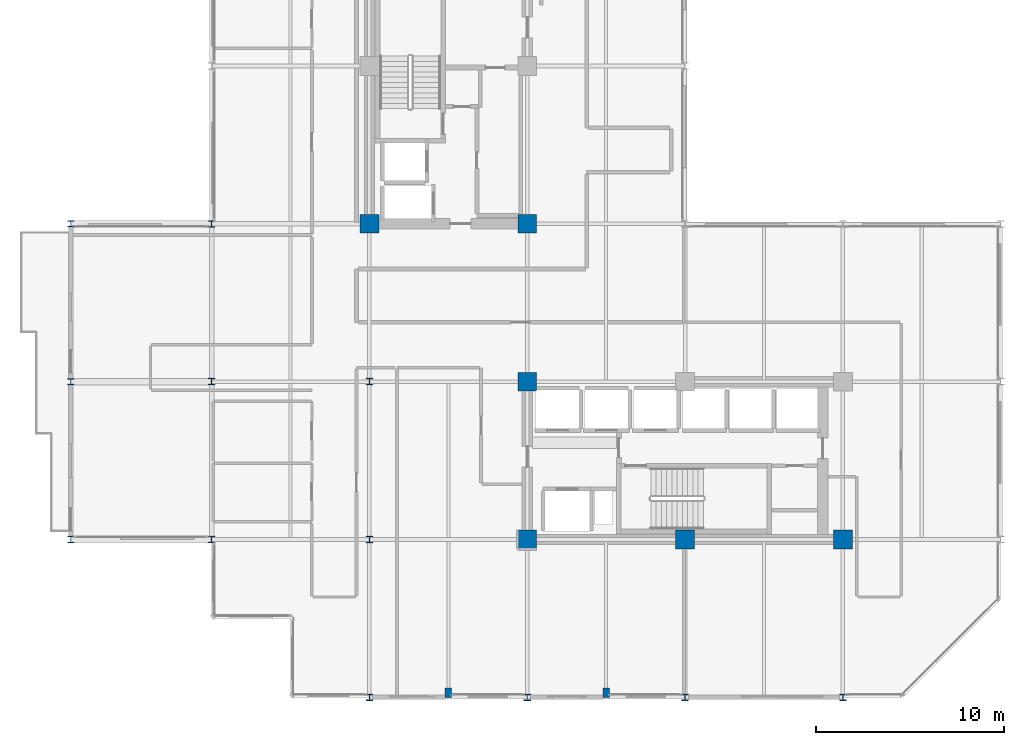
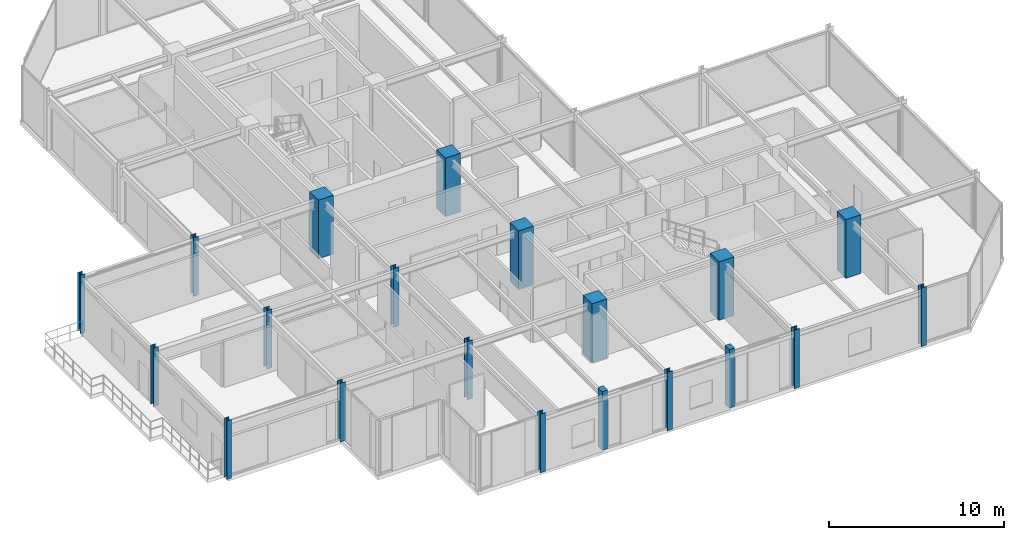
# One storey, part 1 of 29: 20 columns.
"""IFC4 building model written with IfcOpenShell, lengths in metres."""

from ifc_helpers import new_model, si_unit, direction, frame, origin, origin_2d, place, context, subcontext, project, spatial, rectangle, i_section, extrude, material, material_profile, profile_set, type_object, element, save


model = new_model("IFC4")

# Units and contexts
model_context = context("Model", 3, precision=1e-05, world=origin(), true_north=direction((0.0, 1.0)))
body_context = subcontext(model_context, "Body", "Model", "MODEL_VIEW")
ifc_project = project(units=[si_unit("LENGTHUNIT", "METRE"), si_unit("AREAUNIT", "SQUARE_METRE"), si_unit("VOLUMEUNIT", "CUBIC_METRE"), si_unit("PLANEANGLEUNIT", "RADIAN"), si_unit("MASSUNIT", "GRAM", prefix="KILO")], contexts=[model_context])

# Site, building, storey
site_placement = place(None, origin())
site = spatial("IfcSite", under=ifc_project, at=site_placement, CompositionType="ELEMENT")
building_placement = place(site_placement, origin())
building = spatial("IfcBuilding", under=site, at=building_placement, Name="Nerrivon Quay Data Exchange", CompositionType="ELEMENT")
storey_placement = place(building_placement, frame((0.0, 0.0, 183.699951171875)))
storey = spatial("IfcBuildingStorey", under=building, at=storey_placement, Name="L43", CompositionType="ELEMENT", Elevation=183.699951171875)

# Columns
ifc_material_1 = material(Name="Concrete S65 (65 MPa)", Category="concrete")
ifc_material_profile_1 = material_profile(ifc_material_1, rectangle(XDim=1.0, YDim=1.0, at=origin_2d()), Name="RC-COL-1000x1000")
ifc_profile_set_1 = profile_set([ifc_material_profile_1], Name="Concrete S65 (65 MPa)")
column_type_1 = type_object("IfcColumnType", Name="COL-C4-1000", PredefinedType="COLUMN", material=ifc_profile_set_1)
for number, where, z_axis, x_axis, name in (
    (1, (8.39990234375, 25.199951171875, 0.0), (0.0, 0.0, 1.0), (1.0, 0.0, 0.0), "L43 Column (8.4,25.2)"),
    (2, (16.800048828125, 8.39990234375, 0.0), (0.0, 0.0, 1.0), (1.0, 0.0, 0.0), "L43 Column (16.8,8.4)"),
    (3, (16.800048828125, 16.800048828125, 0.0), (0.0, 0.0, 1.0), (1.0, 0.0, 0.0), "L43 Column (16.8,16.8)"),
    (4, (16.800048828125, 25.199951171875, 0.0), (0.0, 0.0, 1.0), (1.0, 0.0, 0.0), "L43 Column (16.8,25.2)"),
    (5, (25.199951171875, 8.39990234375, 0.0), (0.0, 0.0, 1.0), (1.0, 0.0, 0.0), "L43 Column (25.2,8.4)"),
    (6, (33.60009765625, 8.39990234375, 0.0), (0.0, 0.0, 1.0), (1.0, 0.0, 0.0), "L43 Column (33.6,8.4)"),
):
    element("IfcColumn", number, at=place(storey_placement, frame(where, z_axis=z_axis, x_axis=x_axis)), inside=storey, type_object=column_type_1, Name=name, PredefinedType="COLUMN", context=body_context, shape_type="SweptSolid", body=[
        extrude(rectangle(XDim=1.0, YDim=1.0, at=origin_2d()), origin(), (0.0, 0.0, 1.0), 4.10009765625),
    ])
ifc_material_2 = material(Name="Steel Grade 350", Category="steel")
ifc_material_profile_2 = material_profile(ifc_material_2, i_section(OverallWidth=0.35009765625, OverallDepth=0.35009765625, WebThickness=0.02001953125, FlangeThickness=0.031982421875, at=origin_2d()), Name="350WC230")
ifc_profile_set_2 = profile_set([ifc_material_profile_2], Name="Steel Grade 350")
column_type_2 = type_object("IfcColumnType", Name="COL-SC3-350WC", PredefinedType="COLUMN", material=ifc_profile_set_2)
for number, where, z_axis, x_axis, name in (
    (7, (0.0, 8.39990234375, 0.0), (0.0, 0.0, 1.0), (1.0, 0.0, 0.0), "L43 Column (0.0,8.4)"),
    (8, (0.0, 16.800048828125, 0.0), (0.0, 0.0, 1.0), (1.0, 0.0, 0.0), "L43 Column (0.0,16.8)"),
    (9, (0.0, 25.199951171875, 0.0), (0.0, 0.0, 1.0), (1.0, 0.0, 0.0), "L43 Column (0.0,25.2)"),
    (10, (8.39990234375, 0.0, 0.0), (0.0, 0.0, 1.0), (1.0, 0.0, 0.0), "L43 Column (8.4,0.0)"),
    (11, (8.39990234375, 8.39990234375, 0.0), (0.0, 0.0, 1.0), (1.0, 0.0, 0.0), "L43 Column (8.4,8.4)"),
    (12, (8.39990234375, 16.800048828125, 0.0), (0.0, 0.0, 1.0), (1.0, 0.0, 0.0), "L43 Column (8.4,16.8)"),
    (13, (16.800048828125, 0.0, 0.0), (0.0, 0.0, 1.0), (1.0, 0.0, 0.0), "L43 Column (16.8,0.0)"),
    (14, (25.199951171875, 0.0, 0.0), (0.0, 0.0, 1.0), (1.0, 0.0, 0.0), "L43 Column (25.2,0.0)"),
    (15, (33.60009765625, 0.0, 0.0), (0.0, 0.0, 1.0), (1.0, 0.0, 0.0), "L43 Column (33.6,0.0)"),
):
    element("IfcColumn", number, at=place(storey_placement, frame(where, z_axis=z_axis, x_axis=x_axis)), inside=storey, type_object=column_type_2, Name=name, PredefinedType="COLUMN", context=body_context, shape_type="SweptSolid", body=[
        extrude(i_section(OverallWidth=0.35009765625, OverallDepth=0.35009765625, WebThickness=0.02001953125, FlangeThickness=0.031982421875, at=origin_2d()), origin(), (0.0, 0.0, 1.0), 4.10009765625),
    ])
ifc_material_profile_3 = material_profile(ifc_material_2, i_section(OverallWidth=0.31103515625, OverallDepth=0.326904296875, WebThickness=0.015625, FlangeThickness=0.02490234375, FilletRadius=0.0166015625, at=origin_2d()), Name="310UC158")
ifc_profile_set_3 = profile_set([ifc_material_profile_3], Name="Steel Grade 350")
column_type_3 = type_object("IfcColumnType", Name="COL-SC4-310UC158", PredefinedType="COLUMN", material=ifc_profile_set_3)
for number, where, z_axis, x_axis, name in (
    (16, (-7.5, 8.39990234375, 0.0), (0.0, 0.0, 1.0), (1.0, 0.0, 0.0), "L43 West Hooked Post (-7.5,8.4)"),
    (17, (-7.5, 16.800048828125, 0.0), (0.0, 0.0, 1.0), (1.0, 0.0, 0.0), "L43 West Hooked Post (-7.5,16.8)"),
    (18, (-7.5, 25.199951171875, 0.0), (0.0, 0.0, 1.0), (1.0, 0.0, 0.0), "L43 West Hooked Post (-7.5,25.2)"),
):
    element("IfcColumn", number, at=place(storey_placement, frame(where, z_axis=z_axis, x_axis=x_axis)), inside=storey, type_object=column_type_3, Name=name, PredefinedType="COLUMN", context=body_context, shape_type="SweptSolid", body=[
        extrude(i_section(OverallWidth=0.31103515625, OverallDepth=0.326904296875, WebThickness=0.015625, FlangeThickness=0.02490234375, FilletRadius=0.0166015625, at=origin_2d()), origin(), (0.0, 0.0, 1.0), 4.10009765625),
    ])
ifc_material_3 = material(Name="Concrete N50 (50 MPa)", Category="concrete")
ifc_material_profile_4 = material_profile(ifc_material_3, rectangle(XDim=0.35009765625, YDim=0.5, at=origin_2d()), Name="RC-PIL-500x350")
ifc_profile_set_4 = profile_set([ifc_material_profile_4], Name="Concrete N50 (50 MPa)")
column_type_4 = type_object("IfcColumnType", Name="PIL-P2-500x350", PredefinedType="PILASTER", material=ifc_profile_set_4)
for number, where, z_axis, x_axis, name in (
    (19, (12.60009765625, 0.25, 0.0), (0.0, 0.0, 1.0), (1.0, 0.0, 0.0), "L43 Facade Pilaster (12.6)"),
    (20, (21.0, 0.25, 0.0), (0.0, 0.0, 1.0), (1.0, 0.0, 0.0), "L43 Facade Pilaster (21.0)"),
):
    element("IfcColumn", number, at=place(storey_placement, frame(where, z_axis=z_axis, x_axis=x_axis)), inside=storey, type_object=column_type_4, Name=name, PredefinedType="PILASTER", context=body_context, shape_type="SweptSolid", body=[
        extrude(rectangle(XDim=0.35009765625, YDim=0.5, at=origin_2d()), origin(), (0.0, 0.0, 1.0), 4.10009765625),
    ])

save(model, "model.ifc")
